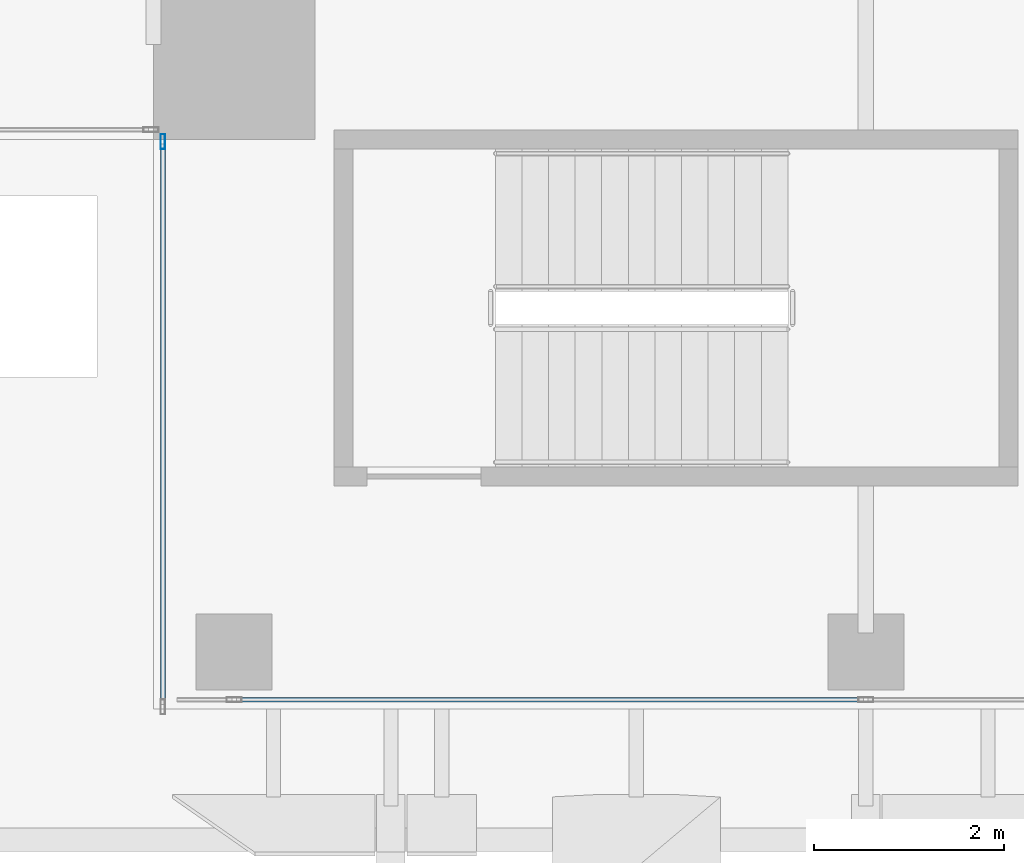
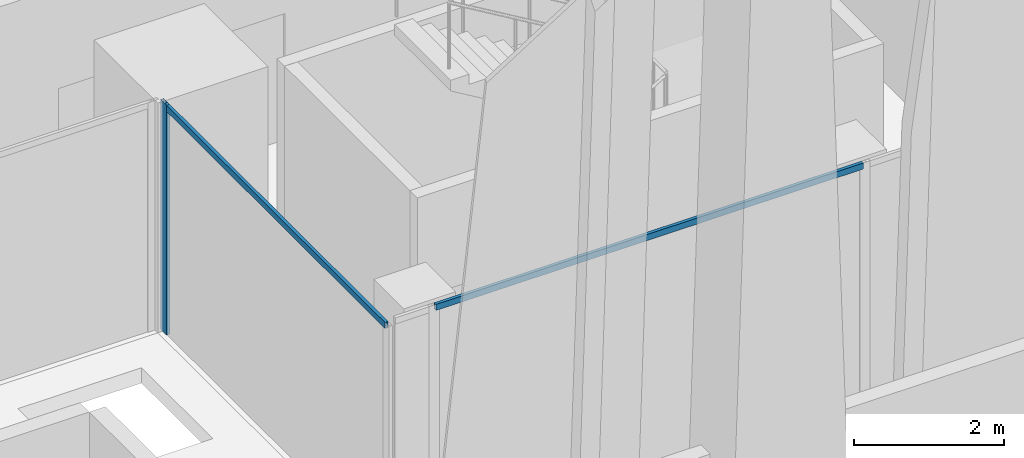
# One storey, part 3 of 32: 3 members, 2 elements without a shape of their own.
"""IFC4 building model written with IfcOpenShell, lengths in metres."""

from ifc_helpers import new_model, si_unit, direction, frame, origin, origin_2d, place, context, subcontext, project, spatial, hollow_rectangle, extrude, source, transform, mapped, material, material_profile, profile_set, type_object, element, aggregate, save


model = new_model("IFC4")

# Units and contexts
model_context = context("Model", 3, precision=1e-05, world=origin(), true_north=direction((0.0, 1.0)))
body_context = subcontext(model_context, "Body", "Model", "MODEL_VIEW")
ifc_project = project(units=[si_unit("LENGTHUNIT", "METRE"), si_unit("AREAUNIT", "SQUARE_METRE"), si_unit("VOLUMEUNIT", "CUBIC_METRE"), si_unit("PLANEANGLEUNIT", "RADIAN"), si_unit("MASSUNIT", "GRAM", prefix="KILO")], contexts=[model_context])

# Site, building, storey
site_placement = place(None, origin())
site = spatial("IfcSite", under=ifc_project, at=site_placement, CompositionType="ELEMENT")
building_placement = place(site_placement, origin())
building = spatial("IfcBuilding", under=site, at=building_placement, Name="Khomas Fold Tower", CompositionType="ELEMENT")
storey_placement = place(building_placement, frame((0.0, 0.0, 282.199951171875)))
storey = spatial("IfcBuildingStorey", under=building, at=storey_placement, Name="L63", CompositionType="ELEMENT", Elevation=282.199951171875)

# Curtain wall, member
ifc_material_1 = material(Name="Aluminium framed double glazing", Category="aluminium")
curtain_wall_type = type_object("IfcCurtainWallType", Name="SK-Unitised clear-glass wall, upper floors CW3", PredefinedType="NOTDEFINED", material=ifc_material_1)
curtain_wall_1_placement = place(storey_placement, origin())
curtain_wall_1 = element("IfcCurtainWall", 1, at=curtain_wall_1_placement, inside=storey, type_object=curtain_wall_type, Name="CW3 corner return L63 11", PredefinedType="NOTDEFINED")
ifc_material_2 = material(Name="Aluminium", Category="aluminium")
ifc_material_profile_1 = material_profile(ifc_material_2, hollow_rectangle(XDim=0.050048828125, YDim=0.159912109375, WallThickness=0.00390625, at=origin_2d()), Name="SK-Unitised clear-glass wall, upper floors mullion CW3-M")
ifc_profile_set_1 = profile_set([ifc_material_profile_1], Name="Aluminium")
member_type_1 = type_object("IfcMemberType", Name="SK-Unitised clear-glass wall, upper floors mullion CW3-M", PredefinedType="MULLION", material=ifc_profile_set_1)
shared_shape_1 = source(origin(), body_context, "Body", "SweptSolid", [
    extrude(hollow_rectangle(XDim=0.050048828125, YDim=0.159912109375, WallThickness=0.00390625, at=origin_2d()), origin(), (0.0, 0.0, 1.0), 3.75),
])
member_1_placement = place(storey_placement, frame((12.10009765625, 11.97509765625, 0.0), z_axis=(0.0, 0.0, 1.0), x_axis=(1.0, 0.0, 0.0)))
member_1 = element("IfcMember", 2, at=member_1_placement, type_object=member_type_1, Name="CW3 mullion 1", PredefinedType="MULLION", context=body_context, shape_type="MappedRepresentation", body=[
    mapped(shared_shape_1, transform((0.0, 0.0, 0.0))),
])

curtain_wall_2_placement = place(storey_placement, origin())
curtain_wall_2 = element("IfcCurtainWall", 3, at=curtain_wall_2_placement, inside=storey, type_object=curtain_wall_type, Name="CW3 run L63 00-0", PredefinedType="NOTDEFINED")
ifc_material_3 = material(Name="Aluminium", Category="aluminium")
ifc_material_profile_2 = material_profile(ifc_material_3, hollow_rectangle(XDim=0.050048828125, YDim=0.10009765625, WallThickness=0.00390625, at=origin_2d()), Name="SK-Unitised clear-glass wall, upper floors transom CW3-T")
ifc_profile_set_2 = profile_set([ifc_material_profile_2], Name="Aluminium")
member_type_2 = type_object("IfcMemberType", Name="SK-Unitised clear-glass wall, upper floors transom CW3-T", PredefinedType="USERDEFINED", material=ifc_profile_set_2)
shared_shape_2 = source(origin(), body_context, "Body", "SweptSolid", [
    extrude(hollow_rectangle(XDim=0.050048828125, YDim=0.10009765625, WallThickness=0.00390625, at=origin_2d()), origin(), (0.0, 0.0, 1.0), 6.60009765625),
])
member_2_placement = place(storey_placement, frame((12.875, 6.10009765625, 3.699951171875), z_axis=(1.0, 0.0, 0.0), x_axis=(0.0, 1.0, 0.0)))
member_2 = element("IfcMember", 4, at=member_2_placement, type_object=member_type_2, Name="CW3 transom 2", ObjectType="TRANSOM", PredefinedType="USERDEFINED", context=body_context, shape_type="MappedRepresentation", body=[
    mapped(shared_shape_2, transform((0.0, 0.0, 0.0))),
])
aggregate(curtain_wall_2, [member_2])

# Member
shared_shape_3 = source(origin(), body_context, "Body", "SweptSolid", [
    extrude(hollow_rectangle(XDim=0.050048828125, YDim=0.10009765625, WallThickness=0.00390625, at=origin_2d()), origin(), (0.0, 0.0, 1.0), 5.89990234375),
])
member_3_placement = place(storey_placement, frame((12.10009765625, 11.949951171875, 3.699951171875), z_axis=(0.0, -1.0, 0.0), x_axis=(1.0, 0.0, 0.0)))
member_3 = element("IfcMember", 5, at=member_3_placement, type_object=member_type_2, Name="CW3 transom 1", ObjectType="TRANSOM", PredefinedType="USERDEFINED", context=body_context, shape_type="MappedRepresentation", body=[
    mapped(shared_shape_3, transform((0.0, 0.0, 0.0))),
])

aggregate(curtain_wall_1, [member_1, member_3])

save(model, "model.ifc")
